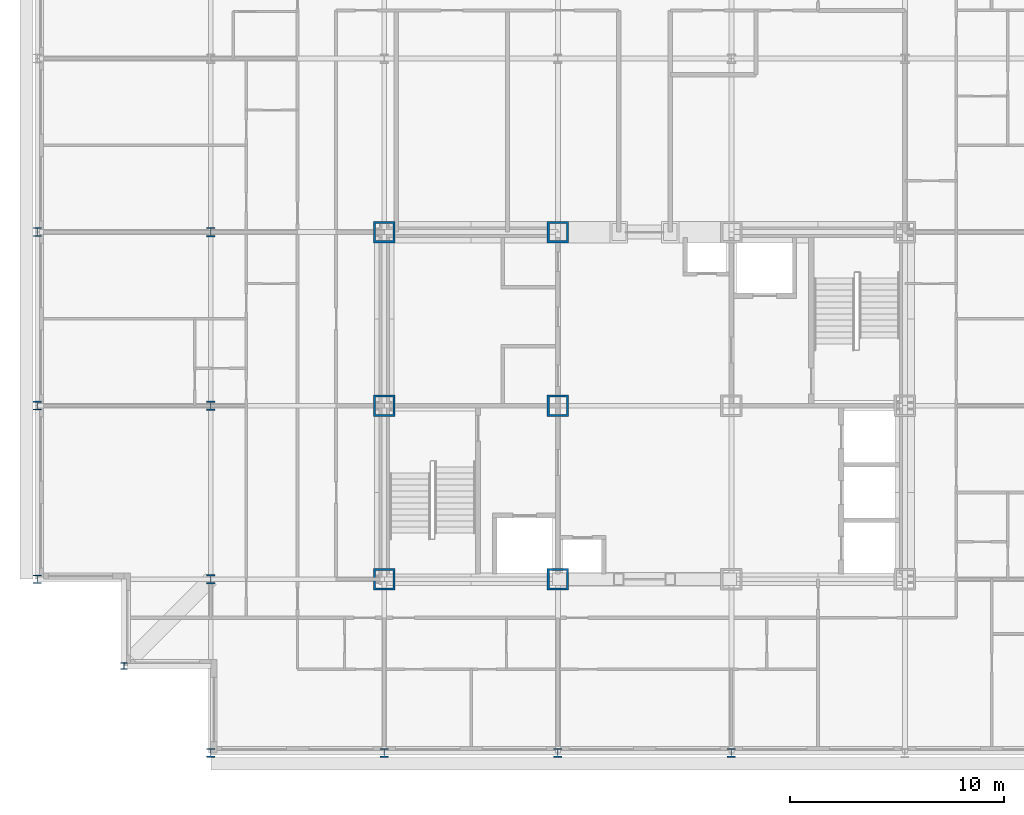
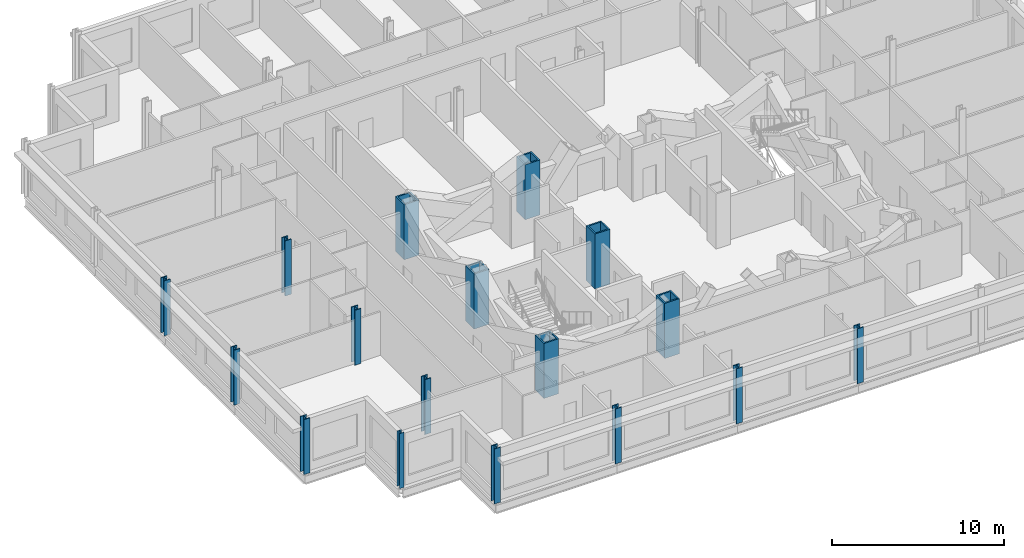
# One storey, part 1 of 15: 17 columns.
"""IFC4 building model written with IfcOpenShell, lengths in metres."""

from ifc_helpers import new_model, si_unit, direction, frame, origin, origin_2d, place, context, subcontext, project, spatial, hollow_rectangle, i_section, extrude, material, material_profile, profile_set, type_object, element, save


model = new_model("IFC4")

# Units and contexts
model_context = context("Model", 3, precision=1e-05, world=origin(), true_north=direction((0.0, 1.0)))
body_context = subcontext(model_context, "Body", "Model", "MODEL_VIEW")
ifc_project = project(units=[si_unit("LENGTHUNIT", "METRE"), si_unit("AREAUNIT", "SQUARE_METRE"), si_unit("VOLUMEUNIT", "CUBIC_METRE"), si_unit("PLANEANGLEUNIT", "RADIAN"), si_unit("MASSUNIT", "GRAM", prefix="KILO")], contexts=[model_context])

# Site, building, storey
site_placement = place(None, origin())
site = spatial("IfcSite", under=ifc_project, at=site_placement, CompositionType="ELEMENT")
building_placement = place(site_placement, origin())
building = spatial("IfcBuilding", under=site, at=building_placement, Name="Kopane Lantern Tower", CompositionType="ELEMENT")
storey_placement = place(building_placement, frame((0.0, 0.0, 277.5)))
storey = spatial("IfcBuildingStorey", under=building, at=storey_placement, Name="L71", CompositionType="ELEMENT", Elevation=277.5)

# Columns
ifc_material_1 = material(Name="Steel S355JR", Category="steel")
ifc_material_profile_1 = material_profile(ifc_material_1, hollow_rectangle(XDim=1.0, YDim=1.0, WallThickness=0.10009765625, at=origin_2d()), Name="BOX 1000x1000x100")
ifc_profile_set_1 = profile_set([ifc_material_profile_1], Name="Steel S355JR")
column_type_1 = type_object("IfcColumnType", Name="COLUMN BOX 1000x1000x100", PredefinedType="COLUMN", material=ifc_profile_set_1)
for number, where, z_axis, x_axis, name in (
    (1, (16.199951171875, 24.300048828125, 0.0), (0.0, 0.0, 1.0), (1.0, 0.0, 0.0), "Column 4/E L71"),
    (2, (16.199951171875, 32.39990234375, 0.0), (0.0, 0.0, 1.0), (1.0, 0.0, 0.0), "Column 4/F L71"),
    (3, (16.199951171875, 40.5, 0.0), (0.0, 0.0, 1.0), (1.0, 0.0, 0.0), "Column 4/G L71"),
    (4, (24.300048828125, 24.300048828125, 0.0), (0.0, 0.0, 1.0), (1.0, 0.0, 0.0), "Column 5/E L71"),
    (5, (24.300048828125, 32.39990234375, 0.0), (0.0, 0.0, 1.0), (1.0, 0.0, 0.0), "Column 5/F L71"),
    (6, (24.300048828125, 40.5, 0.0), (0.0, 0.0, 1.0), (1.0, 0.0, 0.0), "Column 5/G L71"),
):
    element("IfcColumn", number, at=place(storey_placement, frame(where, z_axis=z_axis, x_axis=x_axis)), inside=storey, type_object=column_type_1, Name=name, PredefinedType="COLUMN", context=body_context, shape_type="SweptSolid", body=[
        extrude(hollow_rectangle(XDim=1.0, YDim=1.0, WallThickness=0.10009765625, at=origin_2d()), origin(), (0.0, 0.0, 1.0), 3.89990234375),
    ])
ifc_material_2 = material(Name="Steel S355JR", Category="steel")
ifc_material_profile_2 = material_profile(ifc_material_2, i_section(OverallWidth=0.307373046875, OverallDepth=0.314453125, WebThickness=0.011962890625, FlangeThickness=0.018798828125, FilletRadius=0.01513671875, at=origin_2d()), Name="UC 305x305x118")
ifc_profile_set_2 = profile_set([ifc_material_profile_2], Name="Steel S355JR")
column_type_2 = type_object("IfcColumnType", Name="COLUMN UC 305x305x118", PredefinedType="COLUMN", material=ifc_profile_set_2)
column_placement = place(storey_placement, frame((4.050048828125, 20.25, 0.0), z_axis=(0.0, 0.0, 1.0), x_axis=(1.0, 0.0, 0.0)))
element("IfcColumn", 7, at=column_placement, inside=storey, type_object=column_type_2, Name="Column 4.05/20.25 L71", PredefinedType="COLUMN", context=body_context, shape_type="SweptSolid", body=[
    extrude(i_section(OverallWidth=0.307373046875, OverallDepth=0.314453125, WebThickness=0.011962890625, FlangeThickness=0.018798828125, FilletRadius=0.01513671875, at=origin_2d()), origin(), (0.0, 0.0, 1.0), 3.89990234375),
])
ifc_material_3 = material(Name="Steel S355JR", Category="steel")
ifc_material_profile_3 = material_profile(ifc_material_3, i_section(OverallWidth=0.406982421875, OverallDepth=0.4189453125, WebThickness=0.030517578125, FlangeThickness=0.04931640625, FilletRadius=0.01513671875, at=origin_2d()), Name="UC 356x406x393")
ifc_profile_set_3 = profile_set([ifc_material_profile_3], Name="Steel S355JR")
column_type_3 = type_object("IfcColumnType", Name="COLUMN UC 356x406x393", PredefinedType="COLUMN", material=ifc_profile_set_3)
for number, where, z_axis, x_axis, name in (
    (8, (0.0, 24.300048828125, 0.0), (0.0, 0.0, 1.0), (1.0, 0.0, 0.0), "Column 2/E L71"),
    (9, (0.0, 32.39990234375, 0.0), (0.0, 0.0, 1.0), (1.0, 0.0, 0.0), "Column 2/F L71"),
    (10, (0.0, 40.5, 0.0), (0.0, 0.0, 1.0), (1.0, 0.0, 0.0), "Column 2/G L71"),
    (11, (8.10009765625, 16.199951171875, 0.0), (0.0, 0.0, 1.0), (1.0, 0.0, 0.0), "Column 3/D L71"),
    (12, (16.199951171875, 16.199951171875, 0.0), (0.0, 0.0, 1.0), (1.0, 0.0, 0.0), "Column 4/D L71"),
    (13, (24.300048828125, 16.199951171875, 0.0), (0.0, 0.0, 1.0), (1.0, 0.0, 0.0), "Column 5/D L71"),
    (14, (32.39990234375, 16.199951171875, 0.0), (0.0, 0.0, 1.0), (1.0, 0.0, 0.0), "Column 6/D L71"),
):
    element("IfcColumn", number, at=place(storey_placement, frame(where, z_axis=z_axis, x_axis=x_axis)), inside=storey, type_object=column_type_3, Name=name, PredefinedType="COLUMN", context=body_context, shape_type="SweptSolid", body=[
        extrude(i_section(OverallWidth=0.406982421875, OverallDepth=0.4189453125, WebThickness=0.030517578125, FlangeThickness=0.04931640625, FilletRadius=0.01513671875, at=origin_2d()), origin(), (0.0, 0.0, 1.0), 3.89990234375),
    ])
ifc_material_4 = material(Name="Steel S355JR", Category="steel")
ifc_material_profile_4 = material_profile(ifc_material_4, i_section(OverallWidth=0.412109375, OverallDepth=0.4365234375, WebThickness=0.035888671875, FlangeThickness=0.05810546875, FilletRadius=0.01513671875, at=origin_2d()), Name="UC 356x406x467")
ifc_profile_set_4 = profile_set([ifc_material_profile_4], Name="Steel S355JR")
column_type_4 = type_object("IfcColumnType", Name="COLUMN UC 356x406x467", PredefinedType="COLUMN", material=ifc_profile_set_4)
for number, where, z_axis, x_axis, name in (
    (15, (8.10009765625, 24.300048828125, 0.0), (0.0, 0.0, 1.0), (1.0, 0.0, 0.0), "Column 3/E L71"),
    (16, (8.10009765625, 32.39990234375, 0.0), (0.0, 0.0, 1.0), (1.0, 0.0, 0.0), "Column 3/F L71"),
    (17, (8.10009765625, 40.5, 0.0), (0.0, 0.0, 1.0), (1.0, 0.0, 0.0), "Column 3/G L71"),
):
    element("IfcColumn", number, at=place(storey_placement, frame(where, z_axis=z_axis, x_axis=x_axis)), inside=storey, type_object=column_type_4, Name=name, PredefinedType="COLUMN", context=body_context, shape_type="SweptSolid", body=[
        extrude(i_section(OverallWidth=0.412109375, OverallDepth=0.4365234375, WebThickness=0.035888671875, FlangeThickness=0.05810546875, FilletRadius=0.01513671875, at=origin_2d()), origin(), (0.0, 0.0, 1.0), 3.89990234375),
    ])

save(model, "model.ifc")
